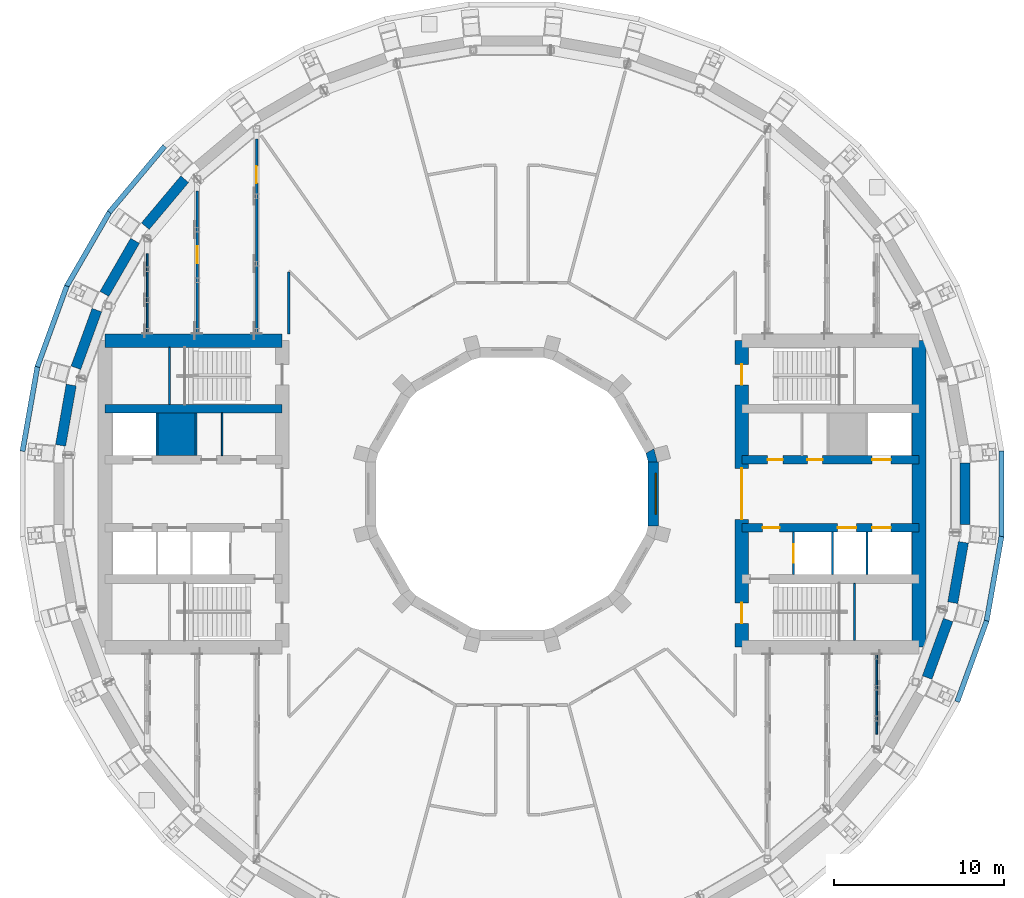
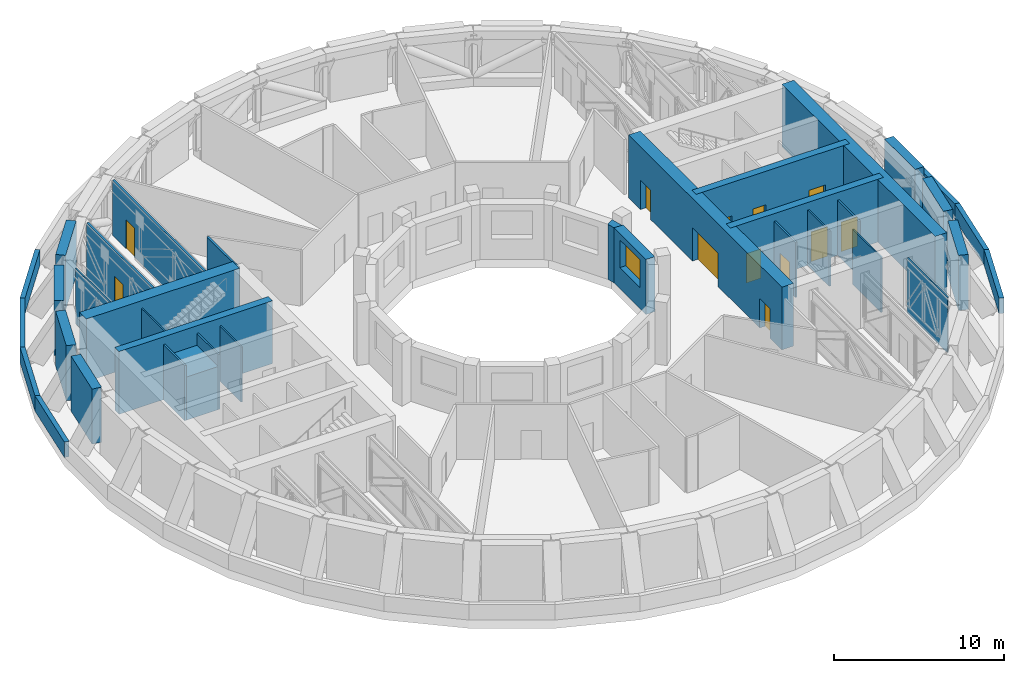
# One storey, part 11 of 19: 36 walls, 12 doors, 1 window, 13 openings.
"""IFC4 building model written with IfcOpenShell, lengths in metres."""

from ifc_helpers import new_model, si_unit, direction, frame, frame_2d, origin, place, context, subcontext, project, spatial, polyline, rectangle, outline, extrude, material, layer, layer_set, type_object, element, fill, save


model = new_model("IFC4")

# Units and contexts
model_context = context("Model", 3, precision=1e-05, world=origin(), true_north=direction((0.0, 1.0)))
body_context = subcontext(model_context, "Body", "Model", "MODEL_VIEW")
ifc_project = project(units=[si_unit("LENGTHUNIT", "METRE"), si_unit("AREAUNIT", "SQUARE_METRE"), si_unit("VOLUMEUNIT", "CUBIC_METRE"), si_unit("PLANEANGLEUNIT", "RADIAN"), si_unit("MASSUNIT", "GRAM", prefix="KILO")], contexts=[model_context])

# Site, building, storey
site_placement = place(None, origin())
site = spatial("IfcSite", under=ifc_project, at=site_placement, CompositionType="ELEMENT")
building_placement = place(site_placement, origin())
building = spatial("IfcBuilding", under=site, at=building_placement, Name="Saqina Gate Tower", CompositionType="ELEMENT")
storey_placement = place(building_placement, frame((0.0, 0.0, 82.39990234375)))
storey = spatial("IfcBuildingStorey", under=building, at=storey_placement, Name="L23", CompositionType="ELEMENT", Elevation=82.39990234375)

# Walls
ifc_material_1 = material(Name="Gypsum board on steel studs", Category="steel")
ifc_layer_1 = layer(ifc_material_1, 0.10009765625)
ifc_layer_set_1 = layer_set([ifc_layer_1], Name="CORE PARTITION")
wall_type_1 = type_object("IfcWallType", Name="CORE PARTITION", PredefinedType="PARTITIONING", material=ifc_layer_set_1)
wall_1_placement = place(storey_placement, frame((-17.022216796875, 2.25, 0.0), z_axis=(0.0, 0.0, 1.0), x_axis=(0.0, 1.0, 0.0)))
element("IfcWall", 1, at=wall_1_placement, inside=storey, type_object=wall_type_1, Name="L23-CP-W01", PredefinedType="PARTITIONING", context=body_context, shape_type="SweptSolid", body=[
    extrude(rectangle(XDim=2.5, YDim=0.10009765625, at=frame_2d((1.25, 0.0))), origin(), (0.0, 0.0, 1.0), 3.9501953125),
])
ifc_material_2 = material(Name="Brick masonry (buff)", Category="masonry")
ifc_layer_2 = layer(ifc_material_2, 0.60009765625)
ifc_layer_set_2 = layer_set([ifc_layer_2], Name="FW-BRICK-BUFF")
wall_type_2 = type_object("IfcWallType", Name="FW-BRICK-BUFF", PredefinedType="SOLIDWALL", material=ifc_layer_set_2)
for number, where, z_axis, x_axis, name in (
    (2, (-19.218505859375, 18.474365234375, 0.0), (0.0, 0.0, 1.0), (-0.642797301232, -0.766036310843, 0.0), "Facade wall L23 facet 14"),
    (3, (-22.134521484375, 14.8564453125, 0.0), (0.0, 0.0, 1.0), (-0.499992664208, -0.866029639064, 0.0), "Facade wall L23 facet 15"),
):
    element("IfcWall", number, at=place(storey_placement, frame(where, z_axis=z_axis, x_axis=x_axis)), inside=storey, type_object=wall_type_2, Name=name, PredefinedType="SOLIDWALL", context=body_context, shape_type="SweptSolid", body=[
        extrude(rectangle(XDim=3.59765625, YDim=0.60009765625, at=frame_2d((1.798828125, 0.0))), origin(), (0.0, 0.0, 1.0), 3.9501953125),
    ])
ifc_material_3 = material(Name="Glazed ceramic tile", Category="ceramic")
ifc_layer_3 = layer(ifc_material_3, 0.60009765625)
ifc_layer_set_3 = layer_set([ifc_layer_3], Name="FW-TILE")
wall_type_3 = type_object("IfcWallType", Name="FW-TILE", PredefinedType="SOLIDWALL", material=ifc_layer_set_3)
for number, where, z_axis, x_axis, name in (
    (4, (-24.3779296875, 10.787109375, 0.0), (0.0, 0.0, 1.0), (-0.342026385367, -0.939690348845, 0.0), "Facade wall L23 facet 16"),
    (5, (24.3779296875, -10.787109375, 0.0), (0.0, 0.0, 1.0), (0.342026385367, 0.939690348845, 0.0), "Facade wall L23 facet 34"),
    (6, (26.59716796875, -1.798828125, 0.0), (0.0, 0.0, 1.0), (0.0, 1.0, 0.0), "Facade wall L23 facet 36"),
):
    element("IfcWall", number, at=place(storey_placement, frame(where, z_axis=z_axis, x_axis=x_axis)), inside=storey, type_object=wall_type_3, Name=name, PredefinedType="SOLIDWALL", context=body_context, shape_type="SweptSolid", body=[
        extrude(rectangle(XDim=3.59765625, YDim=0.60009765625, at=frame_2d((1.798828125, 0.0))), origin(), (0.0, 0.0, 1.0), 3.9501953125),
    ])
ifc_material_4 = material(Name="Glazed ceramic tile (dark blue)", Category="ceramic")
ifc_layer_4 = layer(ifc_material_4, 0.60009765625)
ifc_layer_set_4 = layer_set([ifc_layer_4], Name="FW-TILE-CB")
wall_type_4 = type_object("IfcWallType", Name="FW-TILE-CB", PredefinedType="SOLIDWALL", material=ifc_layer_set_4)
wall_2_placement = place(storey_placement, frame((25.880859375, -6.39013671875, 0.0), z_axis=(0.0, 0.0, 1.0), x_axis=(0.173657579756, 0.984806095124, 0.0)))
element("IfcWall", 7, at=wall_2_placement, inside=storey, type_object=wall_type_4, Name="Facade wall L23 facet 35", PredefinedType="SOLIDWALL", context=body_context, shape_type="SweptSolid", body=[
    extrude(rectangle(XDim=3.59765625, YDim=0.60009765625, at=frame_2d((1.798828125, 0.0))), origin(), (0.0, 0.0, 1.0), 3.9501953125),
])
ifc_material_5 = material(Name="Glazed ceramic tile (white)", Category="ceramic")
ifc_layer_5 = layer(ifc_material_5, 0.60009765625)
ifc_layer_set_5 = layer_set([ifc_layer_5], Name="FW-TILE-WH")
wall_type_5 = type_object("IfcWallType", Name="FW-TILE-WH", PredefinedType="SOLIDWALL", material=ifc_layer_set_5)
wall_3_placement = place(storey_placement, frame((-25.880859375, 6.39013671875, 0.0), z_axis=(0.0, 0.0, 1.0), x_axis=(-0.173657579756, -0.984806095124, 0.0)))
element("IfcWall", 8, at=wall_3_placement, inside=storey, type_object=wall_type_5, Name="Facade wall L23 facet 17", PredefinedType="SOLIDWALL", context=body_context, shape_type="SweptSolid", body=[
    extrude(rectangle(XDim=3.59765625, YDim=0.60009765625, at=frame_2d((1.798828125, 0.0))), origin(), (0.0, 0.0, 1.0), 3.9501953125),
])

# Wall, opening, window
ifc_material_6 = material(Name="Glazed ceramic tile", Category="ceramic")
ifc_layer_6 = layer(ifc_material_6, 0.60009765625)
ifc_layer_set_6 = layer_set([ifc_layer_6], Name="IW-TILE")
wall_type_6 = type_object("IfcWallType", Name="IW-TILE", PredefinedType="SOLIDWALL", material=ifc_layer_set_6)
wall_4_placement = place(storey_placement, frame((8.300048828125, -1.873779296875, 0.0), z_axis=(0.0, 0.0, 1.0), x_axis=(0.0, 1.0, 0.0)))
wall_4 = element("IfcWall", 9, at=wall_4_placement, inside=storey, type_object=wall_type_6, Name="Well wall L23 facet 12", PredefinedType="SOLIDWALL", context=body_context, shape_type="SweptSolid", body=[
    extrude(rectangle(XDim=3.74755859375, YDim=0.60009765625, at=frame_2d((1.873779296875, 0.0))), origin(), (0.0, 0.0, 1.0), 3.9501953125),
])
opening_1_placement = place(wall_4_placement, frame((0.673583984375, 0.0, 1.5)))
opening_1 = element("IfcOpeningElement", 10, at=opening_1_placement, cuts=wall_4, Name="Opening L23-W12", PredefinedType="OPENING", context=body_context, shape_type="SweptSolid", body=[
    extrude(rectangle(XDim=2.39990234375, YDim=2.0, at=frame_2d((1.199951171875, 1.0))), frame((0.0, 0.31201171875, 0.0), z_axis=(0.0, -1.0, 0.0), x_axis=(1.0, 0.0, 0.0)), (0.0, 0.0, 1.0), 0.6240234375),
])
ifc_material_7 = material(Name="Aluminium glazing", Category="aluminium")
window_type = type_object("IfcWindowType", Name="WN-P", PartitioningType="SINGLE_PANEL", PredefinedType="WINDOW", material=ifc_material_7)
window_placement = place(opening_1_placement, origin())
window = element("IfcWindow", 11, at=window_placement, inside=storey, type_object=window_type, Name="Well window L23 facet 12", OverallHeight=2.0, OverallWidth=2.39990234375, PartitioningType="SINGLE_PANEL", PredefinedType="WINDOW", context=body_context, shape_type="SweptSolid", body=[
    extrude(rectangle(XDim=2.39990234375, YDim=2.0, at=frame_2d((1.199951171875, 1.0))), frame((0.0, -0.119873046875, 0.0), z_axis=(0.0, -1.0, 0.0), x_axis=(1.0, 0.0, 0.0)), (0.0, 0.0, 1.0), 0.06005859375),
])
fill(opening_1, window)

# Walls
ifc_material_8 = material(Name="Concrete C40/50", Category="concrete")
ifc_layer_7 = layer(ifc_material_8, 2.5)
ifc_layer_set_7 = layer_set([ifc_layer_7], Name="Concrete C40/50")
wall_type_7 = type_object("IfcWallType", Name="LIFT PIT PEDESTAL 2500", PredefinedType="SOLIDWALL", material=ifc_layer_set_7)
wall_5_placement = place(storey_placement, frame((-18.6201171875, 3.5, 0.0), z_axis=(0.0, 0.0, 1.0), x_axis=(-1.0, 0.0, 0.0)))
element("IfcWall", 12, at=wall_5_placement, inside=storey, type_object=wall_type_7, Name="LIFT PIT BASE MR2", PredefinedType="SOLIDWALL", context=body_context, shape_type="SweptSolid", body=[
    extrude(rectangle(XDim=2.159912109375, YDim=2.5, at=frame_2d((1.080078125, 0.0))), origin(), (0.0, 0.0, 1.0), 3.10009765625),
])
ifc_material_9 = material(Name="Brick masonry (buff)", Category="masonry")
ifc_layer_8 = layer(ifc_material_9, 0.300048828125)
ifc_layer_set_8 = layer_set([ifc_layer_8], Name="PA-ROOF")
wall_type_8 = type_object("IfcWallType", Name="PA-ROOF", PredefinedType="PARAPET", material=ifc_layer_set_8)
for number, where, z_axis, x_axis, name in (
    (13, (-20.39111328125, 20.40966796875, 0.0), (0.0, 0.0, 1.0), (-0.64278876462, -0.766043474013, 0.0), "Parapet L23 edge 14"),
    (14, (-23.62548828125, 16.55859375, 0.0), (0.0, 0.0, 1.0), (-0.500019282102, -0.866014270972, 0.0), "Parapet L23 edge 15"),
    (15, (-26.14208984375, 12.20458984375, 0.0), (0.0, 0.0, 1.0), (-0.341987354158, -0.939704554419, 0.0), "Parapet L23 edge 16"),
):
    element("IfcWall", number, at=place(storey_placement, frame(where, z_axis=z_axis, x_axis=x_axis)), inside=storey, type_object=wall_type_8, Name=name, PredefinedType="PARAPET", context=body_context, shape_type="SweptSolid", body=[
        extrude(rectangle(XDim=5.054931640625, YDim=0.300048828125, at=frame_2d((2.52734375, 0.0))), origin(), (0.0, 0.0, 1.0), 1.10009765625),
    ])
wall_6_placement = place(storey_placement, frame((-27.864013671875, 7.479736328125, 0.0), z_axis=(0.0, 0.0, 1.0), x_axis=(-0.173672372016, -0.984803486589, 0.0)))
element("IfcWall", 16, at=wall_6_placement, inside=storey, type_object=wall_type_8, Name="Parapet L23 edge 17", PredefinedType="PARAPET", context=body_context, shape_type="SweptSolid", body=[
    extrude(rectangle(XDim=5.05517578125, YDim=0.300048828125, at=frame_2d((2.527587890625, 0.0))), origin(), (0.0, 0.0, 1.0), 1.10009765625),
])
wall_7_placement = place(storey_placement, frame((26.14208984375, -12.20458984375, 0.0), z_axis=(0.0, 0.0, 1.0), x_axis=(0.341987354158, 0.939704554419, 0.0)))
element("IfcWall", 17, at=wall_7_placement, inside=storey, type_object=wall_type_8, Name="Parapet L23 edge 34", PredefinedType="PARAPET", context=body_context, shape_type="SweptSolid", body=[
    extrude(rectangle(XDim=5.054931640625, YDim=0.300048828125, at=frame_2d((2.52734375, 0.0))), origin(), (0.0, 0.0, 1.0), 1.10009765625),
])
for number, where, z_axis, x_axis, name in (
    (18, (27.864013671875, -7.479736328125, 0.0), (0.0, 0.0, 1.0), (0.173672372016, 0.984803486589, 0.0), "Parapet L23 edge 35"),
    (19, (28.739501953125, -2.527587890625, 0.0), (0.0, 0.0, 1.0), (0.0, 1.0, 0.0), "Parapet L23 edge 36"),
):
    element("IfcWall", number, at=place(storey_placement, frame(where, z_axis=z_axis, x_axis=x_axis)), inside=storey, type_object=wall_type_8, Name=name, PredefinedType="PARAPET", context=body_context, shape_type="SweptSolid", body=[
        extrude(rectangle(XDim=5.05517578125, YDim=0.300048828125, at=frame_2d((2.527587890625, 0.0))), origin(), (0.0, 0.0, 1.0), 1.10009765625),
    ])

# Wall, opening, door
ifc_material_10 = material(Name="Autoclaved aerated concrete block", Category="concrete")
ifc_layer_9 = layer(ifc_material_10, 0.1201171875)
ifc_layer_set_9 = layer_set([ifc_layer_9], Name="SHAFT PARTITION")
wall_type_9 = type_object("IfcWallType", Name="SHAFT PARTITION", PredefinedType="PARTITIONING", material=ifc_layer_set_9)
wall_8_placement = place(storey_placement, frame((16.530029296875, -4.75, 0.0), z_axis=(0.0, 0.0, 1.0), x_axis=(0.0, 1.0, 0.0)))
wall_8 = element("IfcWall", 20, at=wall_8_placement, inside=storey, type_object=wall_type_9, Name="L23-CP-E04", PredefinedType="PARTITIONING", context=body_context, shape_type="SweptSolid", body=[
    extrude(rectangle(XDim=2.5, YDim=0.1201171875, at=frame_2d((1.25, 0.0))), origin(), (0.0, 0.0, 1.0), 3.9501953125),
])
opening_2_placement = place(wall_8_placement, frame((0.699951171875, 0.0, 0.0)))
opening_2 = element("IfcOpeningElement", 21, at=opening_2_placement, cuts=wall_8, Name="Opening L23-LD2", PredefinedType="OPENING", context=body_context, shape_type="SweptSolid", body=[
    extrude(rectangle(XDim=1.10009765625, YDim=2.10009765625, at=frame_2d((0.550048828125, 1.050048828125))), frame((0.0, 0.072021484375, 0.0), z_axis=(0.0, -1.0, 0.0), x_axis=(1.0, 0.0, 0.0)), (0.0, 0.0, 1.0), 0.14404296875),
])
ifc_material_11 = material(Name="Stainless steel", Category="steel")
door_type_1 = type_object("IfcDoorType", Name="LANDING DOOR", OperationType="DOUBLE_DOOR_SLIDING", PredefinedType="DOOR", material=ifc_material_11)
door_1_placement = place(opening_2_placement, origin())
door_1 = element("IfcDoor", 22, at=door_1_placement, inside=storey, type_object=door_type_1, Name="LANDING DOOR FF1", OperationType="DOUBLE_DOOR_SLIDING", OverallHeight=2.10009765625, OverallWidth=1.10009765625, PredefinedType="DOOR", context=body_context, shape_type="SweptSolid", body=[
    extrude(rectangle(XDim=1.10009765625, YDim=2.10009765625, at=frame_2d((0.550048828125, 1.050048828125))), frame((0.0, 0.02490234375, 0.0), z_axis=(0.0, -1.0, 0.0), x_axis=(1.0, 0.0, 0.0)), (0.0, 0.0, 1.0), 0.050048828125),
])
fill(opening_2, door_1)

# Walls
for number, where, z_axis, x_axis, name in (
    (23, (18.81005859375, -4.75, 0.0), (0.0, 0.0, 1.0), (0.0, 1.0, 0.0), "L23-CP-E05"),
    (24, (20.840087890625, -4.75, 0.0), (0.0, 0.0, 1.0), (0.0, 1.0, 0.0), "L23-CP-E06"),
    (25, (-18.56005859375, 2.25, 0.0), (0.0, 0.0, 1.0), (0.0, 1.0, 0.0), "L23-CP-W02"),
    (26, (-20.840087890625, 2.25, 0.0), (0.0, 0.0, 1.0), (0.0, 1.0, 0.0), "L23-CP-W03"),
):
    element("IfcWall", number, at=place(storey_placement, frame(where, z_axis=z_axis, x_axis=x_axis)), inside=storey, type_object=wall_type_9, Name=name, PredefinedType="PARTITIONING", context=body_context, shape_type="SweptSolid", body=[
        extrude(rectangle(XDim=2.5, YDim=0.1201171875, at=frame_2d((1.25, 0.0))), origin(), (0.0, 0.0, 1.0), 3.9501953125),
    ])
ifc_material_12 = material(Name="Gypsum board on steel studs, 100 mm", Category="steel")
ifc_layer_10 = layer(ifc_material_12, 0.10009765625)
ifc_layer_set_10 = layer_set([ifc_layer_10], Name="SPECIAL PARTITION 100")
wall_type_10 = type_object("IfcWallType", Name="SPECIAL PARTITION 100", PredefinedType="PARTITIONING", material=ifc_layer_set_10)
for number, where, z_axis, x_axis, name in (
    (27, (21.4208984375, -14.10205078125, 0.0), (0.0, 0.0, 1.0), (0.0, 1.0, 0.0), "PARTITION 027"),
    (28, (-21.4208984375, 9.39990234375, 0.0), (0.0, 0.0, 1.0), (0.0, 1.0, 0.0), "PARTITION 045"),
):
    element("IfcWall", number, at=place(storey_placement, frame(where, z_axis=z_axis, x_axis=x_axis)), inside=storey, type_object=wall_type_10, Name=name, PredefinedType="PARTITIONING", context=body_context, shape_type="SweptSolid", body=[
        extrude(rectangle(XDim=4.7021484375, YDim=0.10009765625, at=frame_2d((2.35107421875, 0.0))), origin(), (0.0, 0.0, 1.0), 3.9501953125),
    ])
ifc_material_13 = material(Name="Masonry block and plaster, 150 mm, fire rated", Category="masonry")
ifc_layer_11 = layer(ifc_material_13, 0.14990234375)
ifc_layer_set_11 = layer_set([ifc_layer_11], Name="SPECIAL PARTITION EI 60 150")
wall_type_11 = type_object("IfcWallType", Name="SPECIAL PARTITION EI 60 150", PredefinedType="PARTITIONING", material=ifc_layer_set_11)
wall_9_placement = place(storey_placement, frame((-13.10009765625, 9.39990234375, 0.0), z_axis=(0.0, 0.0, 1.0), x_axis=(0.0, 1.0, 0.0)))
element("IfcWall", 29, at=wall_9_placement, inside=storey, type_object=wall_type_11, Name="PARTITION 040", PredefinedType="PARTITIONING", context=body_context, shape_type="SweptSolid", body=[
    extrude(rectangle(XDim=3.625, YDim=0.14990234375, at=frame_2d((1.8125, 0.0))), origin(), (0.0, 0.0, 1.0), 3.9501953125),
])

# Wall, opening, door
wall_10_placement = place(storey_placement, frame((-14.9990234375, 9.39990234375, 0.0), z_axis=(0.0, 0.0, 1.0), x_axis=(0.0, 1.0, 0.0)))
wall_10 = element("IfcWall", 30, at=wall_10_placement, inside=storey, type_object=wall_type_11, Name="PARTITION 042", PredefinedType="PARTITIONING", context=body_context, shape_type="SweptSolid", body=[
    extrude(rectangle(XDim=11.43603515625, YDim=0.14990234375, at=frame_2d((5.718017578125, 0.0))), origin(), (0.0, 0.0, 1.0), 3.9501953125),
])
opening_3_placement = place(wall_10_placement, frame((8.845947265625, 0.0, 0.0)))
opening_3 = element("IfcOpeningElement", 31, at=opening_3_placement, cuts=wall_10, Name="Opening L23-D09", PredefinedType="OPENING", context=body_context, shape_type="SweptSolid", body=[
    extrude(rectangle(XDim=1.0, YDim=2.10009765625, at=frame_2d((0.5, 1.050048828125))), frame((0.0, 0.0869140625, 0.0), z_axis=(0.0, -1.0, 0.0), x_axis=(1.0, 0.0, 0.0)), (0.0, 0.0, 1.0), 0.173828125),
])
ifc_material_14 = material(Name="Steel-framed fire door leaf, EI 60", Category="steel")
door_type_2 = type_object("IfcDoorType", Name="SPECIAL DOOR 1000 FIRE EI 60", OperationType="SINGLE_SWING_LEFT", PredefinedType="DOOR", material=ifc_material_14)
door_2_placement = place(opening_3_placement, frame((1.0, 0.0, 0.0), z_axis=(0.0, 0.0, 1.0), x_axis=(-1.0, 0.0, 0.0)))
door_2 = element("IfcDoor", 32, at=door_2_placement, inside=storey, type_object=door_type_2, Name="DOOR L23-D09", OperationType="SINGLE_SWING_LEFT", OverallHeight=2.10009765625, OverallWidth=1.0, PredefinedType="DOOR", context=body_context, shape_type="SweptSolid", body=[
    extrude(rectangle(XDim=1.0, YDim=2.10009765625, at=frame_2d((0.5, 1.050048828125))), frame((0.0, 0.02490234375, 0.0), z_axis=(0.0, -1.0, 0.0), x_axis=(1.0, 0.0, 0.0)), (0.0, 0.0, 1.0), 0.050048828125),
])
fill(opening_3, door_2)

wall_11_placement = place(storey_placement, frame((-18.490966796875, 9.39990234375, 0.0), z_axis=(0.0, 0.0, 1.0), x_axis=(0.0, 1.0, 0.0)))
wall_11 = element("IfcWall", 33, at=wall_11_placement, inside=storey, type_object=wall_type_11, Name="PARTITION 044", PredefinedType="PARTITIONING", context=body_context, shape_type="SweptSolid", body=[
    extrude(rectangle(XDim=8.39404296875, YDim=0.14990234375, at=frame_2d((4.197021484375, 0.0))), origin(), (0.0, 0.0, 1.0), 3.9501953125),
])
opening_4_placement = place(wall_11_placement, frame((4.12939453125, 0.0, 0.0)))
opening_4 = element("IfcOpeningElement", 34, at=opening_4_placement, cuts=wall_11, Name="Opening L23-D11", PredefinedType="OPENING", context=body_context, shape_type="SweptSolid", body=[
    extrude(rectangle(XDim=1.0, YDim=2.10009765625, at=frame_2d((0.5, 1.050048828125))), frame((0.0, 0.0869140625, 0.0), z_axis=(0.0, -1.0, 0.0), x_axis=(1.0, 0.0, 0.0)), (0.0, 0.0, 1.0), 0.173828125),
])
door_3_placement = place(opening_4_placement, frame((1.0, 0.0, 0.0), z_axis=(0.0, 0.0, 1.0), x_axis=(-1.0, 0.0, 0.0)))
door_3 = element("IfcDoor", 35, at=door_3_placement, inside=storey, type_object=door_type_2, Name="DOOR L23-D11", OperationType="SINGLE_SWING_LEFT", OverallHeight=2.10009765625, OverallWidth=1.0, PredefinedType="DOOR", context=body_context, shape_type="SweptSolid", body=[
    extrude(rectangle(XDim=1.0, YDim=2.10009765625, at=frame_2d((0.5, 1.050048828125))), frame((0.0, 0.02490234375, 0.0), z_axis=(0.0, -1.0, 0.0), x_axis=(1.0, 0.0, 0.0)), (0.0, 0.0, 1.0), 0.050048828125),
])
fill(opening_4, door_3)

# Walls
ifc_material_15 = material(Name="Autoclaved aerated concrete block", Category="concrete")
ifc_layer_12 = layer(ifc_material_15, 0.10009765625)
ifc_layer_set_12 = layer_set([ifc_layer_12], Name="STAIR ENCLOSURE WALL")
wall_type_12 = type_object("IfcWallType", Name="STAIR ENCLOSURE WALL", PredefinedType="PARTITIONING", material=ifc_layer_set_12)
for number, where, z_axis, x_axis, name in (
    (36, (20.110107421875, -8.60009765625, 0.0), (0.0, 0.0, 1.0), (0.0, 1.0, 0.0), "L23-CP-E08"),
    (37, (-20.110107421875, 5.25, 0.0), (0.0, 0.0, 1.0), (0.0, 1.0, 0.0), "L23-CP-W07"),
):
    element("IfcWall", number, at=place(storey_placement, frame(where, z_axis=z_axis, x_axis=x_axis)), inside=storey, type_object=wall_type_12, Name=name, PredefinedType="PARTITIONING", context=body_context, shape_type="SweptSolid", body=[
        extrude(rectangle(XDim=3.35009765625, YDim=0.10009765625, at=frame_2d((1.675048828125, 0.0))), origin(), (0.0, 0.0, 1.0), 3.9501953125),
    ])

# Wall, openings, doors
ifc_material_16 = material(Name="Concrete C70/85", Category="concrete")
ifc_layer_13 = layer(ifc_material_16, 0.5)
ifc_layer_set_13 = layer_set([ifc_layer_13], Name="Concrete C70/85")
wall_type_13 = type_object("IfcWallType", Name="STR-CORE WALL-B-I", PredefinedType="SHEAR", material=ifc_layer_set_13)
wall_12_placement = place(storey_placement, frame((13.5, 2.0, 0.0), z_axis=(0.0, 0.0, 1.0), x_axis=(1.0, 0.0, 0.0)))
wall_12 = element("IfcWall", 38, at=wall_12_placement, inside=storey, type_object=wall_type_13, Name="CORE WALL L23 E-L1", PredefinedType="SHEAR", context=body_context, shape_type="SweptSolid", body=[
    extrude(rectangle(XDim=10.39990234375, YDim=0.5, at=frame_2d((5.199951171875, 0.0))), origin(), (0.0, 0.0, 1.0), 4.5),
])
opening_5_placement = place(wall_12_placement, frame((7.64990234375, 0.0, 0.0)))
opening_5 = element("IfcOpeningElement", 39, at=opening_5_placement, cuts=wall_12, Name="Opening L23-LD1", PredefinedType="OPENING", context=body_context, shape_type="SweptSolid", body=[
    extrude(rectangle(XDim=1.10009765625, YDim=2.10009765625, at=frame_2d((0.550048828125, 1.050048828125))), frame((0.0, 0.261962890625, 0.0), z_axis=(0.0, -1.0, 0.0), x_axis=(1.0, 0.0, 0.0)), (0.0, 0.0, 1.0), 0.52392578125),
])
opening_6_placement = place(wall_12_placement, frame((1.510986328125, 0.0, 0.0)))
opening_6 = element("IfcOpeningElement", 40, at=opening_6_placement, cuts=wall_12, Name="Opening L23-D90", PredefinedType="OPENING", context=body_context, shape_type="SweptSolid", body=[
    extrude(rectangle(XDim=0.89990234375, YDim=2.10009765625, at=frame_2d((0.449951171875, 1.050048828125))), frame((0.0, 0.261962890625, 0.0), z_axis=(0.0, -1.0, 0.0), x_axis=(1.0, 0.0, 0.0)), (0.0, 0.0, 1.0), 0.52392578125),
])
opening_7_placement = place(wall_12_placement, frame((3.841064453125, 0.0, 0.0)))
opening_7 = element("IfcOpeningElement", 41, at=opening_7_placement, cuts=wall_12, Name="Opening L23-D91", PredefinedType="OPENING", context=body_context, shape_type="SweptSolid", body=[
    extrude(rectangle(XDim=0.89990234375, YDim=2.10009765625, at=frame_2d((0.449951171875, 1.050048828125))), frame((0.0, 0.261962890625, 0.0), z_axis=(0.0, -1.0, 0.0), x_axis=(1.0, 0.0, 0.0)), (0.0, 0.0, 1.0), 0.52392578125),
])
door_4_placement = place(opening_5_placement, origin())
door_4 = element("IfcDoor", 42, at=door_4_placement, inside=storey, type_object=door_type_1, Name="LANDING DOOR LR1", OperationType="DOUBLE_DOOR_SLIDING", OverallHeight=2.10009765625, OverallWidth=1.10009765625, PredefinedType="DOOR", context=body_context, shape_type="SweptSolid", body=[
    extrude(rectangle(XDim=1.10009765625, YDim=2.10009765625, at=frame_2d((0.550048828125, 1.050048828125))), frame((0.0, 0.02490234375, 0.0), z_axis=(0.0, -1.0, 0.0), x_axis=(1.0, 0.0, 0.0)), (0.0, 0.0, 1.0), 0.050048828125),
])
fill(opening_5, door_4)
ifc_material_17 = material(Name="Steel-framed fire door leaf, EI 60", Category="steel")
door_type_3 = type_object("IfcDoorType", Name="SERVICE ROOM DOOR 900", OperationType="SINGLE_SWING_LEFT", PredefinedType="DOOR", material=ifc_material_17)
door_5_placement = place(opening_6_placement, origin())
door_5 = element("IfcDoor", 43, at=door_5_placement, inside=storey, type_object=door_type_3, Name="L23-CD-E01", OperationType="SINGLE_SWING_LEFT", OverallHeight=2.10009765625, OverallWidth=0.89990234375, PredefinedType="DOOR", context=body_context, shape_type="SweptSolid", body=[
    extrude(rectangle(XDim=0.89990234375, YDim=2.10009765625, at=frame_2d((0.449951171875, 1.050048828125))), frame((0.0, 0.02490234375, 0.0), z_axis=(0.0, -1.0, 0.0), x_axis=(1.0, 0.0, 0.0)), (0.0, 0.0, 1.0), 0.050048828125),
])
fill(opening_6, door_5)
door_6_placement = place(opening_7_placement, origin())
door_6 = element("IfcDoor", 44, at=door_6_placement, inside=storey, type_object=door_type_3, Name="L23-CD-E02", OperationType="SINGLE_SWING_RIGHT", OverallHeight=2.10009765625, OverallWidth=0.89990234375, PredefinedType="DOOR", context=body_context, shape_type="SweptSolid", body=[
    extrude(rectangle(XDim=0.89990234375, YDim=2.10009765625, at=frame_2d((0.449951171875, 1.050048828125))), frame((0.0, 0.02490234375, 0.0), z_axis=(0.0, -1.0, 0.0), x_axis=(1.0, 0.0, 0.0)), (0.0, 0.0, 1.0), 0.050048828125),
])
fill(opening_7, door_6)

wall_13_placement = place(storey_placement, frame((13.5, -2.0, 0.0), z_axis=(0.0, 0.0, 1.0), x_axis=(1.0, 0.0, 0.0)))
wall_13 = element("IfcWall", 45, at=wall_13_placement, inside=storey, type_object=wall_type_13, Name="CORE WALL L23 E-L2", PredefinedType="SHEAR", context=body_context, shape_type="SweptSolid", body=[
    extrude(rectangle(XDim=10.39990234375, YDim=0.5, at=frame_2d((5.199951171875, 0.0))), origin(), (0.0, 0.0, 1.0), 4.5),
])
opening_8_placement = place(wall_13_placement, frame((5.6201171875, 0.0, 0.0)))
opening_8 = element("IfcOpeningElement", 46, at=opening_8_placement, cuts=wall_13, Name="Opening L23-LD3", PredefinedType="OPENING", context=body_context, shape_type="SweptSolid", body=[
    extrude(rectangle(XDim=1.10009765625, YDim=2.10009765625, at=frame_2d((0.550048828125, 1.050048828125))), frame((0.0, 0.261962890625, 0.0), z_axis=(0.0, -1.0, 0.0), x_axis=(1.0, 0.0, 0.0)), (0.0, 0.0, 1.0), 0.52392578125),
])
opening_9_placement = place(wall_13_placement, frame((7.64990234375, 0.0, 0.0)))
opening_9 = element("IfcOpeningElement", 47, at=opening_9_placement, cuts=wall_13, Name="Opening L23-LD4", PredefinedType="OPENING", context=body_context, shape_type="SweptSolid", body=[
    extrude(rectangle(XDim=1.10009765625, YDim=2.10009765625, at=frame_2d((0.550048828125, 1.050048828125))), frame((0.0, 0.261962890625, 0.0), z_axis=(0.0, -1.0, 0.0), x_axis=(1.0, 0.0, 0.0)), (0.0, 0.0, 1.0), 0.52392578125),
])
opening_10_placement = place(wall_13_placement, frame((1.215087890625, 0.0, 0.0)))
opening_10 = element("IfcOpeningElement", 48, at=opening_10_placement, cuts=wall_13, Name="Opening L23-D92", PredefinedType="OPENING", context=body_context, shape_type="SweptSolid", body=[
    extrude(rectangle(XDim=1.0, YDim=2.10009765625, at=frame_2d((0.5, 1.050048828125))), frame((0.0, 0.261962890625, 0.0), z_axis=(0.0, -1.0, 0.0), x_axis=(1.0, 0.0, 0.0)), (0.0, 0.0, 1.0), 0.52392578125),
])
ifc_material_18 = material(Name="Steel", Category="steel")
door_type_4 = type_object("IfcDoorType", Name="FIRE LOBBY DOOR EI 60", OperationType="SINGLE_SWING_LEFT", PredefinedType="DOOR", material=ifc_material_18)
door_7_placement = place(opening_10_placement, origin())
door_7 = element("IfcDoor", 49, at=door_7_placement, inside=storey, type_object=door_type_4, Name="L23-CD-E03", OperationType="SINGLE_SWING_LEFT", OverallHeight=2.10009765625, OverallWidth=1.0, PredefinedType="DOOR", context=body_context, shape_type="SweptSolid", body=[
    extrude(rectangle(XDim=1.0, YDim=2.10009765625, at=frame_2d((0.5, 1.050048828125))), frame((0.0, 0.02490234375, 0.0), z_axis=(0.0, -1.0, 0.0), x_axis=(1.0, 0.0, 0.0)), (0.0, 0.0, 1.0), 0.050048828125),
])
fill(opening_10, door_7)
door_8_placement = place(opening_8_placement, origin())
door_8 = element("IfcDoor", 50, at=door_8_placement, inside=storey, type_object=door_type_1, Name="LANDING DOOR LR3", OperationType="DOUBLE_DOOR_SLIDING", OverallHeight=2.10009765625, OverallWidth=1.10009765625, PredefinedType="DOOR", context=body_context, shape_type="SweptSolid", body=[
    extrude(rectangle(XDim=1.10009765625, YDim=2.10009765625, at=frame_2d((0.550048828125, 1.050048828125))), frame((0.0, 0.02490234375, 0.0), z_axis=(0.0, -1.0, 0.0), x_axis=(1.0, 0.0, 0.0)), (0.0, 0.0, 1.0), 0.050048828125),
])
fill(opening_8, door_8)
door_9_placement = place(opening_9_placement, origin())
door_9 = element("IfcDoor", 51, at=door_9_placement, inside=storey, type_object=door_type_1, Name="LANDING DOOR LR2", OperationType="DOUBLE_DOOR_SLIDING", OverallHeight=2.10009765625, OverallWidth=1.10009765625, PredefinedType="DOOR", context=body_context, shape_type="SweptSolid", body=[
    extrude(rectangle(XDim=1.10009765625, YDim=2.10009765625, at=frame_2d((0.550048828125, 1.050048828125))), frame((0.0, 0.02490234375, 0.0), z_axis=(0.0, -1.0, 0.0), x_axis=(1.0, 0.0, 0.0)), (0.0, 0.0, 1.0), 0.050048828125),
])
fill(opening_9, door_9)

# Wall
wall_14_placement = place(storey_placement, frame((-13.5, 5.0, 0.0), z_axis=(0.0, 0.0, 1.0), x_axis=(-1.0, 0.0, 0.0)))
element("IfcWall", 52, at=wall_14_placement, inside=storey, type_object=wall_type_13, Name="CORE WALL L23 W-X1", PredefinedType="SHEAR", context=body_context, shape_type="SweptSolid", body=[
    extrude(rectangle(XDim=10.39990234375, YDim=0.5, at=frame_2d((5.199951171875, 0.0))), origin(), (0.0, 0.0, 1.0), 4.5),
])

# Wall, openings, doors
ifc_material_19 = material(Name="Concrete C70/85", Category="concrete")
ifc_layer_14 = layer(ifc_material_19, 0.800048828125)
ifc_layer_set_14 = layer_set([ifc_layer_14], Name="Concrete C70/85")
wall_type_14 = type_object("IfcWallType", Name="STR-CORE WALL-B-O", PredefinedType="SHEAR", material=ifc_layer_set_14)
wall_15_placement = place(storey_placement, frame((13.5, -9.0, 0.0), z_axis=(0.0, 0.0, 1.0), x_axis=(0.0, 1.0, 0.0)))
wall_15 = element("IfcWall", 53, at=wall_15_placement, inside=storey, type_object=wall_type_14, Name="CORE WALL L23 E-W1", PredefinedType="SHEAR", context=body_context, shape_type="SweptSolid", body=[
    extrude(rectangle(XDim=18.0, YDim=0.800048828125, at=frame_2d((9.0, 0.0))), origin(), (0.0, 0.0, 1.0), 4.5),
])
opening_11_placement = place(wall_15_placement, frame((15.39990234375, 0.0, 0.0)))
opening_11 = element("IfcOpeningElement", 54, at=opening_11_placement, cuts=wall_15, Name="Opening L23-D94", PredefinedType="OPENING", context=body_context, shape_type="SweptSolid", body=[
    extrude(rectangle(XDim=1.199951171875, YDim=2.10009765625, at=frame_2d((0.60009765625, 1.050048828125))), frame((0.0, 0.412109375, 0.0), z_axis=(0.0, -1.0, 0.0), x_axis=(1.0, 0.0, 0.0)), (0.0, 0.0, 1.0), 0.823974609375),
])
opening_12_placement = place(wall_15_placement, frame((1.39990234375, 0.0, 0.0)))
opening_12 = element("IfcOpeningElement", 55, at=opening_12_placement, cuts=wall_15, Name="Opening L23-D95", PredefinedType="OPENING", context=body_context, shape_type="SweptSolid", body=[
    extrude(rectangle(XDim=1.199951171875, YDim=2.10009765625, at=frame_2d((0.60009765625, 1.050048828125))), frame((0.0, 0.412109375, 0.0), z_axis=(0.0, -1.0, 0.0), x_axis=(1.0, 0.0, 0.0)), (0.0, 0.0, 1.0), 0.823974609375),
])
opening_13_placement = place(wall_15_placement, frame((7.5, 0.0, 0.0)))
opening_13 = element("IfcOpeningElement", 56, at=opening_13_placement, cuts=wall_15, Name="Opening L23-D96", PredefinedType="OPENING", context=body_context, shape_type="SweptSolid", body=[
    extrude(rectangle(XDim=3.0, YDim=2.39990234375, at=frame_2d((1.5, 1.199951171875))), frame((0.0, 0.412109375, 0.0), z_axis=(0.0, -1.0, 0.0), x_axis=(1.0, 0.0, 0.0)), (0.0, 0.0, 1.0), 0.823974609375),
])
ifc_material_20 = material(Name="Steel", Category="steel")
door_type_5 = type_object("IfcDoorType", Name="FIRE DOOR EI 60", OperationType="SINGLE_SWING_LEFT", PredefinedType="DOOR", material=ifc_material_20)
door_10_placement = place(opening_11_placement, frame((1.199951171875, 0.0, 0.0), z_axis=(0.0, 0.0, 1.0), x_axis=(-1.0, 0.0, 0.0)))
door_10 = element("IfcDoor", 57, at=door_10_placement, inside=storey, type_object=door_type_5, Name="L23-CD-E05", OperationType="SINGLE_SWING_LEFT", OverallHeight=2.10009765625, OverallWidth=1.199951171875, PredefinedType="DOOR", context=body_context, shape_type="SweptSolid", body=[
    extrude(rectangle(XDim=1.199951171875, YDim=2.10009765625, at=frame_2d((0.60009765625, 1.050048828125))), frame((0.0, 0.02490234375, 0.0), z_axis=(0.0, -1.0, 0.0), x_axis=(1.0, 0.0, 0.0)), (0.0, 0.0, 1.0), 0.050048828125),
])
fill(opening_11, door_10)
door_11_placement = place(opening_12_placement, frame((1.199951171875, 0.0, 0.0), z_axis=(0.0, 0.0, 1.0), x_axis=(-1.0, 0.0, 0.0)))
door_11 = element("IfcDoor", 58, at=door_11_placement, inside=storey, type_object=door_type_5, Name="L23-CD-E06", OperationType="SINGLE_SWING_RIGHT", OverallHeight=2.10009765625, OverallWidth=1.199951171875, PredefinedType="DOOR", context=body_context, shape_type="SweptSolid", body=[
    extrude(rectangle(XDim=1.199951171875, YDim=2.10009765625, at=frame_2d((0.60009765625, 1.050048828125))), frame((0.0, 0.02490234375, 0.0), z_axis=(0.0, -1.0, 0.0), x_axis=(1.0, 0.0, 0.0)), (0.0, 0.0, 1.0), 0.050048828125),
])
fill(opening_12, door_11)
ifc_material_21 = material(Name="Steel and fire-resisting glass", Category="steel")
door_type_6 = type_object("IfcDoorType", Name="LOBBY SCREEN DOOR", OperationType="DOUBLE_DOOR_SLIDING", PredefinedType="DOOR", material=ifc_material_21)
door_12_placement = place(opening_13_placement, origin())
door_12 = element("IfcDoor", 59, at=door_12_placement, inside=storey, type_object=door_type_6, Name="L23-CD-E07", OperationType="DOUBLE_DOOR_SLIDING", OverallHeight=2.39990234375, OverallWidth=3.0, PredefinedType="DOOR", context=body_context, shape_type="SweptSolid", body=[
    extrude(rectangle(XDim=3.0, YDim=2.39990234375, at=frame_2d((1.5, 1.199951171875))), frame((0.0, 0.02490234375, 0.0), z_axis=(0.0, -1.0, 0.0), x_axis=(1.0, 0.0, 0.0)), (0.0, 0.0, 1.0), 0.050048828125),
])
fill(opening_13, door_12)

# Walls
wall_16_placement = place(storey_placement, frame((23.89990234375, -9.0, 0.0), z_axis=(0.0, 0.0, 1.0), x_axis=(0.0, 1.0, 0.0)))
element("IfcWall", 60, at=wall_16_placement, inside=storey, type_object=wall_type_14, Name="CORE WALL L23 E-W2", PredefinedType="SHEAR", context=body_context, shape_type="SweptSolid", body=[
    extrude(rectangle(XDim=18.0, YDim=0.800048828125, at=frame_2d((9.0, 0.0))), origin(), (0.0, 0.0, 1.0), 4.5),
])
wall_17_placement = place(storey_placement, frame((-13.5, 9.0, 0.0), z_axis=(0.0, 0.0, 1.0), x_axis=(-1.0, 0.0, 0.0)))
element("IfcWall", 61, at=wall_17_placement, inside=storey, type_object=wall_type_14, Name="CORE WALL L23 W-NE", PredefinedType="SHEAR", context=body_context, shape_type="SweptSolid", body=[
    extrude(rectangle(XDim=10.39990234375, YDim=0.800048828125, at=frame_2d((5.199951171875, 0.0))), origin(), (0.0, 0.0, 1.0), 4.5),
])
ifc_material_22 = material(Name="Glazed ceramic tile", Category="ceramic")
wall_type_15 = type_object("IfcWallType", Name="TILE PIER COPING", PredefinedType="SOLIDWALL", material=ifc_material_22)
wall_18_placement = place(storey_placement, origin())
element("IfcWall", 62, at=wall_18_placement, inside=storey, type_object=wall_type_15, Name="Well pier cap L23 column 1", PredefinedType="SOLIDWALL", context=body_context, shape_type="SweptSolid", body=[
    extrude(outline(polyline([(8.3310546875, 2.646484375), (7.864990234375, 2.377197265625), (8.0, 1.873779296875), (8.5380859375, 1.873779296875), (8.3310546875, 2.646484375)])), origin(), (0.0, 0.0, 1.0), 3.9501953125),
])

save(model, "model.ifc")
